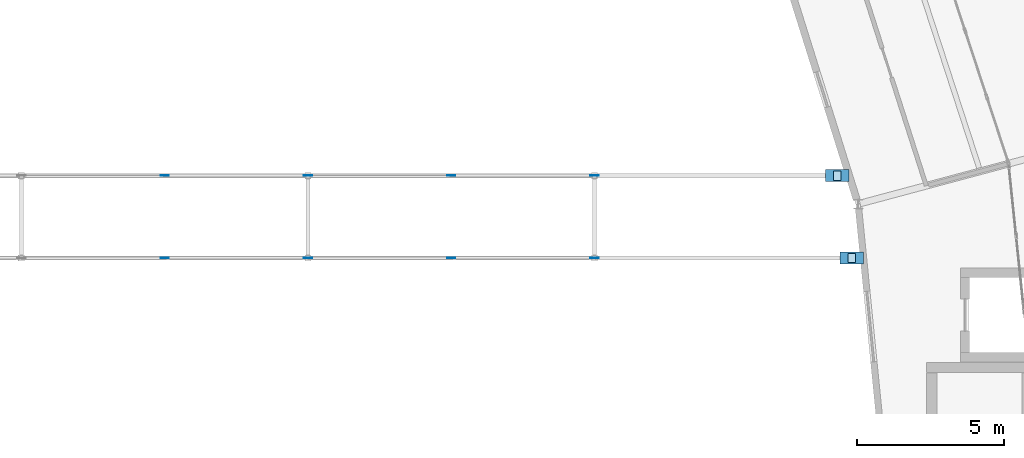
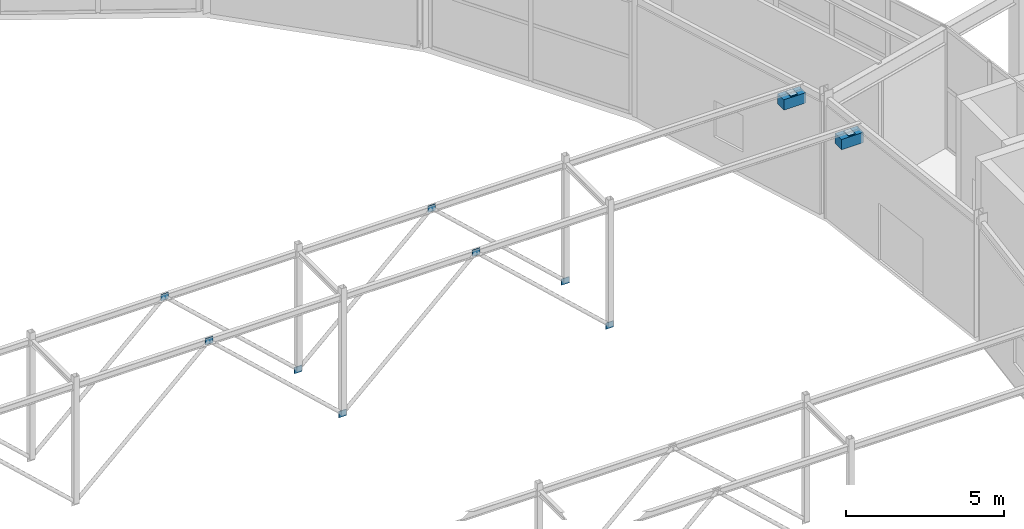
# One storey, part 115 of 144: 12 plates.
"""IFC4 building model written with IfcOpenShell, lengths in metres."""

from ifc_helpers import new_model, si_unit, direction, frame, origin, origin_2d, place, context, subcontext, project, spatial, rectangle, extrude, material, layer, layer_set, type_object, element, save


model = new_model("IFC4")

# Units and contexts
model_context = context("Model", 3, precision=1e-05, world=origin(), true_north=direction((0.0, 1.0)))
body_context = subcontext(model_context, "Body", "Model", "MODEL_VIEW")
ifc_project = project(units=[si_unit("LENGTHUNIT", "METRE"), si_unit("AREAUNIT", "SQUARE_METRE"), si_unit("VOLUMEUNIT", "CUBIC_METRE"), si_unit("PLANEANGLEUNIT", "RADIAN"), si_unit("MASSUNIT", "GRAM", prefix="KILO")], contexts=[model_context])

# Site, building, storey
site_placement = place(None, origin())
site = spatial("IfcSite", under=ifc_project, at=site_placement, CompositionType="ELEMENT")
building_placement = place(site_placement, origin())
building = spatial("IfcBuilding", under=site, at=building_placement, Name="Karori Crest Natural Sciences Institute", CompositionType="ELEMENT")
storey_placement = place(building_placement, origin())
storey = spatial("IfcBuildingStorey", under=building, at=storey_placement, Name="L00", CompositionType="ELEMENT", Elevation=0.0)

# Plates
ifc_material = material(Name="Structural steel AS/NZS 3679.1 Grade 350", Category="steel")
ifc_layer = layer(ifc_material, 0.02490234375, Name="Structural steel AS/NZS 3679.1 Grade 350")
ifc_layer_set = layer_set([ifc_layer], Name="Structural steel AS/NZS 3679.1 Grade 350")
plate_type = type_object("IfcPlateType", Name="PLT-06-EL", PredefinedType="SHEET", material=ifc_layer_set)
for number, where, z_axis, x_axis, name in (
    (1, (66.39990234375, 56.39990234375, 4.39990234375), (0.0, 0.0, 1.0), (1.0, 0.0, 0.0), "Brace gusset plate EP-0192"),
    (2, (71.27001953125, 56.39990234375, -0.10986328125), (0.0, 0.0, 1.0), (1.0, 0.0, 0.0), "Brace gusset plate EP-0193"),
    (3, (66.39990234375, 59.199951171875, 4.39990234375), (0.0, 0.0, 1.0), (1.0, 0.0, 0.0), "Brace gusset plate EP-0195"),
    (4, (71.27001953125, 59.199951171875, -0.10986328125), (0.0, 0.0, 1.0), (1.0, 0.0, 0.0), "Brace gusset plate EP-0196"),
    (5, (76.139892578125, 56.39990234375, 4.39990234375), (0.0, 0.0, 1.0), (1.0, 0.0, 0.0), "Brace gusset plate EP-0198"),
    (6, (81.010009765625, 56.39990234375, -0.10986328125), (0.0, 0.0, 1.0), (1.0, 0.0, 0.0), "Brace gusset plate EP-0199"),
    (7, (76.139892578125, 59.199951171875, 4.39990234375), (0.0, 0.0, 1.0), (1.0, 0.0, 0.0), "Brace gusset plate EP-0201"),
    (8, (81.010009765625, 59.199951171875, -0.10986328125), (0.0, 0.0, 1.0), (1.0, 0.0, 0.0), "Brace gusset plate EP-0202"),
):
    element("IfcPlate", number, at=place(storey_placement, frame(where, z_axis=z_axis, x_axis=x_axis)), inside=storey, type_object=plate_type, Name=name, PredefinedType="SHEET", context=body_context, shape_type="SweptSolid", body=[
        extrude(rectangle(XDim=0.280029296875, YDim=0.02490234375, at=origin_2d()), origin(), (0.0, 0.0, 1.0), 0.239990234375),
    ])
plate_1_placement = place(storey_placement, frame((89.751708984375, 56.39990234375, 4.359130859375), z_axis=(0.0, 0.0, 1.0), x_axis=(1.0, 0.0, 0.0)))
element("IfcPlate", 9, at=plate_1_placement, inside=storey, type_object=plate_type, Name="Guided PTFE sliding bridge bearing EP-0205", PredefinedType="SHEET", context=body_context, shape_type="SweptSolid", body=[
    extrude(rectangle(XDim=0.25, YDim=0.320068359375, at=origin_2d()), origin(), (0.0, 0.0, 1.0), 0.02490234375),
])
plate_2_placement = place(storey_placement, frame((89.751708984375, 56.39990234375, 3.958984375), z_axis=(0.0, 0.0, 1.0), x_axis=(1.0, 0.0, 0.0)))
element("IfcPlate", 10, at=plate_2_placement, inside=storey, type_object=plate_type, Name="Bridge 800mm sliding corbel seat EP-0206", PredefinedType="SHEET", context=body_context, shape_type="SweptSolid", body=[
    extrude(rectangle(XDim=0.800048828125, YDim=0.39990234375, at=origin_2d()), origin(), (0.0, 0.0, 1.0), 0.39990234375),
])
plate_3_placement = place(storey_placement, frame((89.265380859375, 59.199951171875, 4.359130859375), z_axis=(0.0, 0.0, 1.0), x_axis=(1.0, 0.0, 0.0)))
element("IfcPlate", 11, at=plate_3_placement, inside=storey, type_object=plate_type, Name="Guided PTFE sliding bridge bearing EP-0207", PredefinedType="SHEET", context=body_context, shape_type="SweptSolid", body=[
    extrude(rectangle(XDim=0.25, YDim=0.320068359375, at=origin_2d()), origin(), (0.0, 0.0, 1.0), 0.02490234375),
])
plate_4_placement = place(storey_placement, frame((89.265380859375, 59.199951171875, 3.958984375), z_axis=(0.0, 0.0, 1.0), x_axis=(1.0, 0.0, 0.0)))
element("IfcPlate", 12, at=plate_4_placement, inside=storey, type_object=plate_type, Name="Bridge 800mm sliding corbel seat EP-0208", PredefinedType="SHEET", context=body_context, shape_type="SweptSolid", body=[
    extrude(rectangle(XDim=0.800048828125, YDim=0.39990234375, at=origin_2d()), origin(), (0.0, 0.0, 1.0), 0.39990234375),
])

save(model, "model.ifc")
